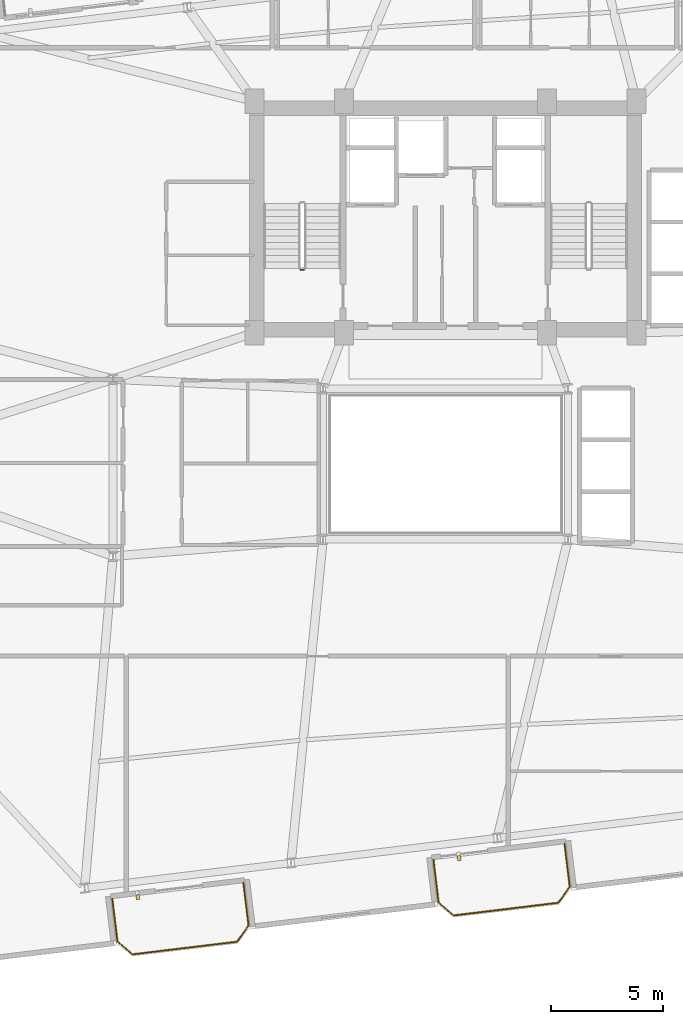
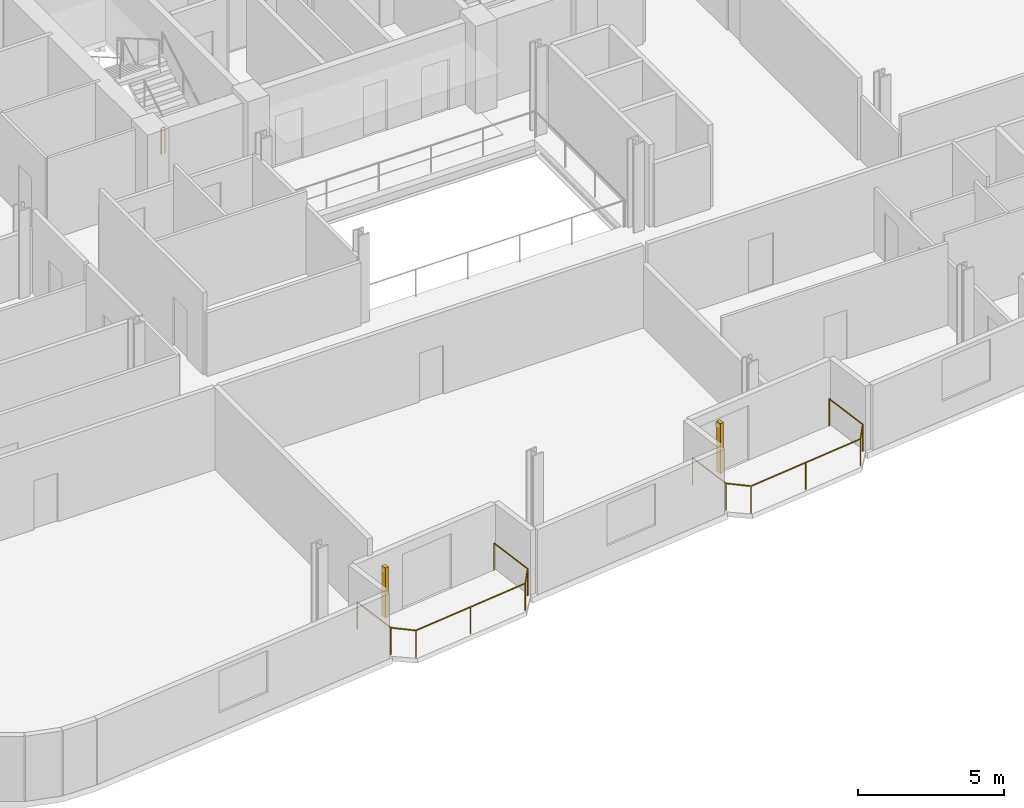
# One storey, part 19 of 22: 3 railings, 2 shading devices.
"""IFC4 building model written with IfcOpenShell, lengths in metres."""

from ifc_helpers import new_model, si_unit, direction, frame, origin, origin_2d, place, context, subcontext, project, spatial, rectangle, circle, extrude, source, transform, mapped, material, type_object, element, save


model = new_model("IFC4")

# Units and contexts
model_context = context("Model", 3, precision=1e-05, world=origin(), true_north=direction((0.0, 1.0)))
body_context = subcontext(model_context, "Body", "Model", "MODEL_VIEW")
ifc_project = project(units=[si_unit("LENGTHUNIT", "METRE"), si_unit("AREAUNIT", "SQUARE_METRE"), si_unit("VOLUMEUNIT", "CUBIC_METRE"), si_unit("PLANEANGLEUNIT", "RADIAN"), si_unit("MASSUNIT", "GRAM", prefix="KILO")], contexts=[model_context])

# Site, building, storey
site_placement = place(None, origin())
site = spatial("IfcSite", under=ifc_project, at=site_placement, CompositionType="ELEMENT")
building_placement = place(site_placement, origin())
building = spatial("IfcBuilding", under=site, at=building_placement, Name="Varnelok Gate Tower", CompositionType="ELEMENT")
storey_placement = place(building_placement, frame((0.0, 0.0, 178.300048828125)))
storey = spatial("IfcBuildingStorey", under=building, at=storey_placement, Name="L45", CompositionType="ELEMENT", Elevation=178.300048828125)

# Railings
ifc_material_1 = material(Name="Low-E Laminated Double Glazing IGU", Category="glass")
railing_type_1 = type_object("IfcRailingType", Name="RL-BALC-1150", PredefinedType="BALUSTRADE", material=ifc_material_1)
railing_1_placement = place(storey_placement, frame((24.368896484375, 3.55712890625, 0.0)))
element("IfcRailing", 1, at=railing_1_placement, inside=storey, type_object=railing_type_1, Name="L45 South Terrace Balustrade 1", PredefinedType="BALUSTRADE", context=body_context, shape_type="SweptSolid", body=[
    extrude(circle(Radius=0.02392578125, at=origin_2d()), frame((0.0, 0.0, 1.1259765625), z_axis=(0.120293392036, -0.992738384386, 0.0), x_axis=(0.992738384386, 0.120293392036, 0.0)), (0.0, 0.0, 1.0), 1.919921875),
    extrude(circle(Radius=0.02392578125, at=origin_2d()), frame((0.23095703125, -1.906005859375, 1.1259765625), z_axis=(0.756422670136, -0.654083132411, 0.0), x_axis=(0.654083132411, 0.756422670136, 0.0)), (0.0, 0.0, 1.0), 0.8779296875),
    extrude(circle(Radius=0.02392578125, at=origin_2d()), frame((0.89501953125, -2.480224609375, 1.1259765625), z_axis=(0.992736790351, 0.120306546306, 0.0), x_axis=(-0.120306546306, 0.992736790351, 0.0)), (0.0, 0.0, 1.0), 4.699951171875),
    extrude(circle(Radius=0.02392578125, at=origin_2d()), frame((5.560791015625, -1.914794921875, 1.1259765625), z_axis=(0.57815621837, 0.815926091726, 0.0), x_axis=(-0.815926091726, 0.57815621837, 0.0)), (0.0, 0.0, 1.0), 0.8779296875),
    extrude(circle(Radius=0.02392578125, at=origin_2d()), frame((6.068359375, -1.198486328125, 1.1259765625), z_axis=(-0.12040351024, 0.992725034802, 0.0), x_axis=(-0.992725034802, -0.12040351024, 0.0)), (0.0, 0.0, 1.0), 1.920166015625),
    extrude(circle(Radius=0.02099609375, at=origin_2d()), origin(), (0.0, 0.0, 1.0), 1.101806640625),
    extrude(circle(Radius=0.02099609375, at=origin_2d()), frame((0.23095703125, -1.906005859375, 0.0)), (0.0, 0.0, 1.0), 1.101806640625),
    extrude(circle(Radius=0.02099609375, at=origin_2d()), frame((0.89501953125, -2.480224609375, 0.0)), (0.0, 0.0, 1.0), 1.101806640625),
    extrude(circle(Radius=0.02099609375, at=origin_2d()), frame((3.22802734375, -2.197509765625, 0.0)), (0.0, 0.0, 1.0), 1.101806640625),
    extrude(circle(Radius=0.02099609375, at=origin_2d()), frame((5.560791015625, -1.914794921875, 0.0)), (0.0, 0.0, 1.0), 1.101806640625),
    extrude(circle(Radius=0.02099609375, at=origin_2d()), frame((6.068359375, -1.198486328125, 0.0)), (0.0, 0.0, 1.0), 1.101806640625),
    extrude(circle(Radius=0.02099609375, at=origin_2d()), frame((5.837158203125, 0.707763671875, 0.0)), (0.0, 0.0, 1.0), 1.101806640625),
])
railing_2_placement = place(storey_placement, frame((38.664306640625, 5.2900390625, 0.0)))
element("IfcRailing", 2, at=railing_2_placement, inside=storey, type_object=railing_type_1, Name="L45 South Terrace Balustrade 2", PredefinedType="BALUSTRADE", context=body_context, shape_type="SweptSolid", body=[
    extrude(circle(Radius=0.02392578125, at=origin_2d()), frame((0.0, 0.0, 1.1259765625), z_axis=(0.120293392036, -0.992738384386, 0.0), x_axis=(0.992738384386, 0.120293392036, 0.0)), (0.0, 0.0, 1.0), 1.919921875),
    extrude(circle(Radius=0.02392578125, at=origin_2d()), frame((0.23095703125, -1.906005859375, 1.1259765625), z_axis=(0.756303655992, -0.654220742513, 0.0), x_axis=(0.654220742513, 0.756303655992, 0.0)), (0.0, 0.0, 1.0), 0.877685546875),
    extrude(circle(Radius=0.02392578125, at=origin_2d()), frame((0.894775390625, -2.480224609375, 1.1259765625), z_axis=(0.99273133746, 0.120351533534, 0.0), x_axis=(-0.120351533534, 0.99273133746, 0.0)), (0.0, 0.0, 1.0), 4.7001953125),
    extrude(circle(Radius=0.02392578125, at=origin_2d()), frame((5.560791015625, -1.91455078125, 1.1259765625), z_axis=(0.577971037086, 0.816057277579, 0.0), x_axis=(-0.816057277579, 0.577971037086, 0.0)), (0.0, 0.0, 1.0), 0.877685546875),
    extrude(circle(Radius=0.02392578125, at=origin_2d()), frame((6.068115234375, -1.1982421875, 1.1259765625), z_axis=(-0.120293392036, 0.992738384386, 0.0), x_axis=(-0.992738384386, -0.120293392036, 0.0)), (0.0, 0.0, 1.0), 1.919921875),
    extrude(circle(Radius=0.02099609375, at=origin_2d()), origin(), (0.0, 0.0, 1.0), 1.101806640625),
    extrude(circle(Radius=0.02099609375, at=origin_2d()), frame((0.23095703125, -1.906005859375, 0.0)), (0.0, 0.0, 1.0), 1.101806640625),
    extrude(circle(Radius=0.02099609375, at=origin_2d()), frame((0.894775390625, -2.480224609375, 0.0)), (0.0, 0.0, 1.0), 1.101806640625),
    extrude(circle(Radius=0.02099609375, at=origin_2d()), frame((3.227783203125, -2.197265625, 0.0)), (0.0, 0.0, 1.0), 1.101806640625),
    extrude(circle(Radius=0.02099609375, at=origin_2d()), frame((5.560791015625, -1.91455078125, 0.0)), (0.0, 0.0, 1.0), 1.101806640625),
    extrude(circle(Radius=0.02099609375, at=origin_2d()), frame((6.068115234375, -1.1982421875, 0.0)), (0.0, 0.0, 1.0), 1.101806640625),
    extrude(circle(Radius=0.02099609375, at=origin_2d()), frame((5.837158203125, 0.707763671875, 0.0)), (0.0, 0.0, 1.0), 1.101806640625),
])
ifc_material_2 = material(Name="Galvanized Steel Grade S350GD", Category="steel")
railing_type_2 = type_object("IfcRailingType", Name="RL-STAIR-GUARD1120", PredefinedType="GUARDRAIL", material=ifc_material_2)
railing_3_placement = place(storey_placement, frame((32.89990234375, 31.550048828125, 0.0)))
element("IfcRailing", 3, at=railing_3_placement, inside=storey, type_object=railing_type_2, Name="L45 ST-1 stair guard 4", PredefinedType="GUARDRAIL", context=body_context, shape_type="SweptSolid", body=[
    extrude(circle(Radius=0.02392578125, at=origin_2d()), frame((0.0, 0.0, 1.09619140625), z_axis=(-1.0, 0.0, 0.0), x_axis=(0.0, -1.0, 0.0)), (0.0, 0.0, 1.0), 0.14990234375),
    extrude(circle(Radius=0.02099609375, at=origin_2d()), origin(), (0.0, 0.0, 1.0), 1.072021484375),
    extrude(circle(Radius=0.02099609375, at=origin_2d()), frame((-0.14990234375, 0.0, 0.0)), (0.0, 0.0, 1.0), 1.072021484375),
])

# Shading devices
ifc_material_3 = material(Name="Glazed Architectural Terracotta Ceramic", Category="masonry")
shading_device_type = type_object("IfcShadingDeviceType", Name="SHD-TERRA-FIN", PredefinedType="USERDEFINED", material=ifc_material_3)
shared_shape = source(origin(), body_context, "Body", "SweptSolid", [
    extrude(rectangle(XDim=0.139892578125, YDim=0.219970703125, at=origin_2d()), origin(), (0.0, 0.0, 1.0), 2.10009765625),
])
for number, where, z_axis, x_axis, name in (
    (4, (25.509033203125, 3.624755859375, 0.099853515625), (0.0, 0.0, 1.0), (0.992732158755, 0.12034475881, 0.0), "L45 Terracotta Ceramic Baguette Sunscreen 1.1"),
    (5, (39.80419921875, 5.35791015625, 0.099853515625), (0.0, 0.0, 1.0), (0.992732158755, 0.12034475881, 0.0), "L45 Terracotta Ceramic Baguette Sunscreen 2.1"),
):
    element("IfcShadingDevice", number, at=place(storey_placement, frame(where, z_axis=z_axis, x_axis=x_axis)), inside=storey, type_object=shading_device_type, Name=name, ObjectType="BAGUETTE", PredefinedType="USERDEFINED", context=body_context, shape_type="MappedRepresentation", body=[
        mapped(shared_shape, transform((0.0, 0.0, 0.0), scale=1.0)),
    ])

save(model, "model.ifc")
